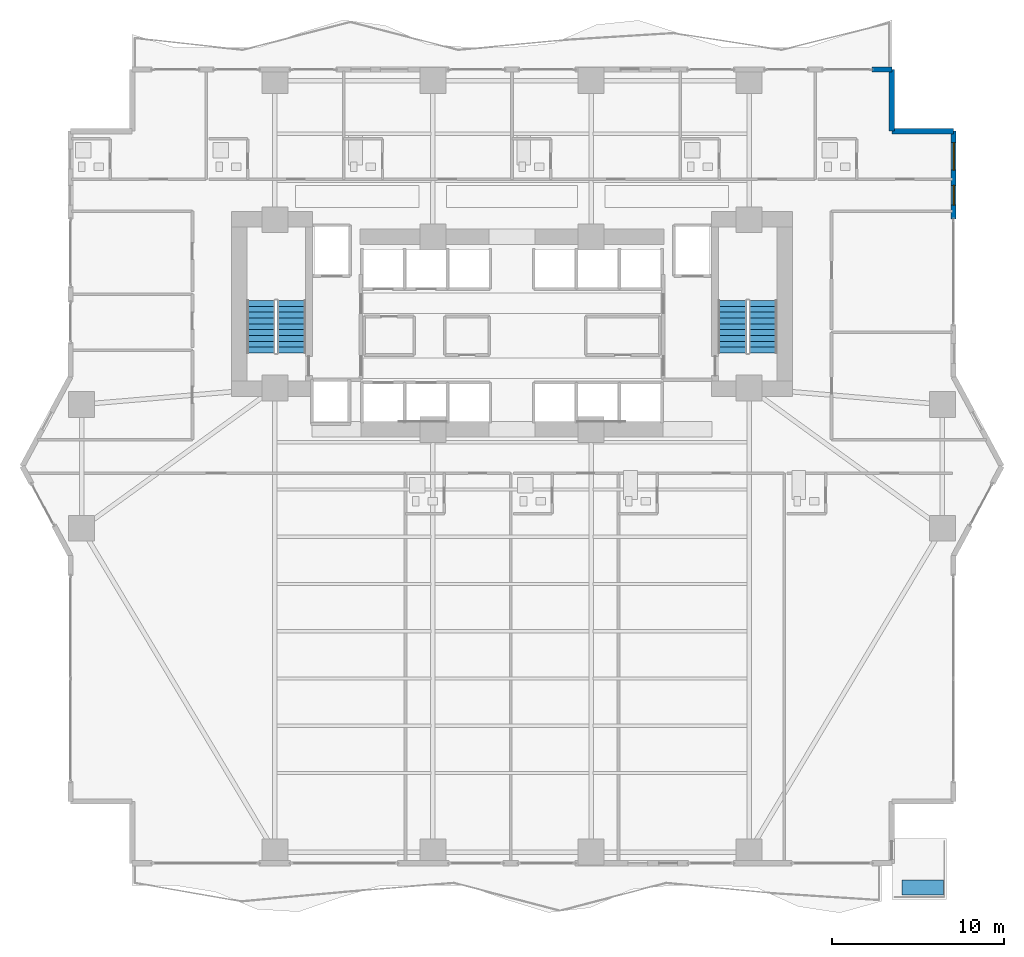
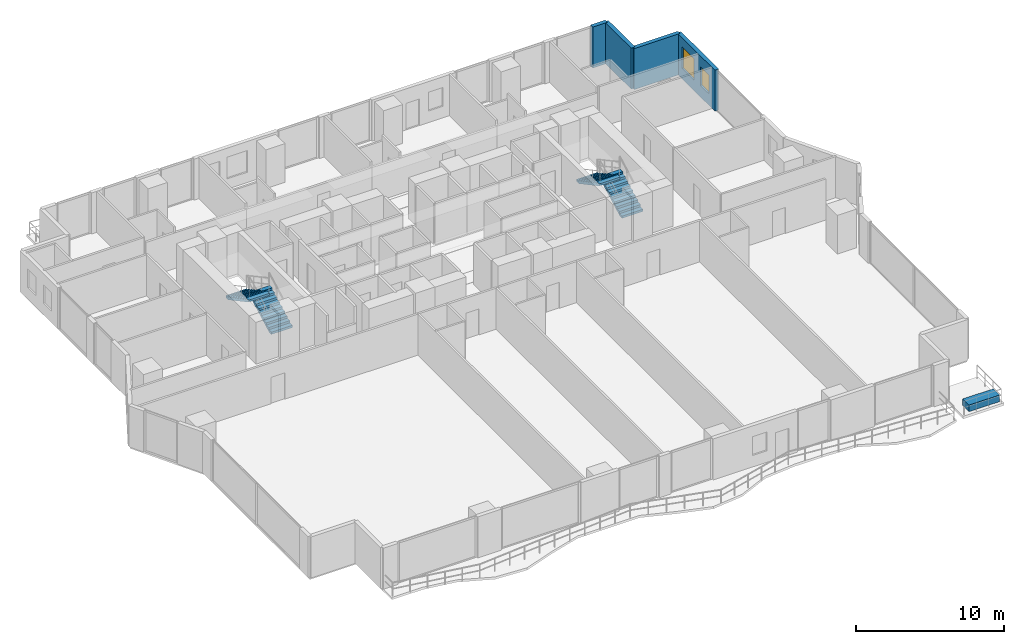
# One storey, part 23 of 30: 4 stair flights, 4 walls, 2 windows, 1 building element part, 2 openings, 2 elements without a shape of their own.
"""IFC4 building model written with IfcOpenShell, lengths in metres."""

from ifc_helpers import new_model, si_unit, direction, frame, frame_2d, origin, origin_2d, place, context, subcontext, project, spatial, polyline, rectangle, outline, extrude, material, layer, layer_set, type_object, element, fill, aggregate, save


model = new_model("IFC4")

# Units and contexts
model_context = context("Model", 3, precision=1e-05, world=origin(), true_north=direction((0.0, 1.0)))
body_context = subcontext(model_context, "Body", "Model", "MODEL_VIEW")
ifc_project = project(units=[si_unit("LENGTHUNIT", "METRE"), si_unit("AREAUNIT", "SQUARE_METRE"), si_unit("VOLUMEUNIT", "CUBIC_METRE"), si_unit("PLANEANGLEUNIT", "RADIAN"), si_unit("MASSUNIT", "GRAM", prefix="KILO")], contexts=[model_context])

# Site, building, storey
site_placement = place(None, origin())
site = spatial("IfcSite", under=ifc_project, at=site_placement, CompositionType="ELEMENT")
building_placement = place(site_placement, origin())
building = spatial("IfcBuilding", under=site, at=building_placement, Name="Zuhayl Quay Hotel", CompositionType="ELEMENT")
storey_placement = place(building_placement, frame((0.0, 0.0, 86.0)))
storey = spatial("IfcBuildingStorey", under=building, at=storey_placement, Name="L21", CompositionType="ELEMENT", Elevation=86.0)

# Walls
ifc_material_1 = material(Name="Precast concrete C45/55", Category="concrete")
ifc_layer_1 = layer(ifc_material_1, 0.300048828125, Name="Precast concrete C45/55", Category="concrete")
ifc_layer_set_1 = layer_set([ifc_layer_1], Name="Precast concrete C45/55")
wall_type = type_object("IfcWallType", Name="WL_EXT_300", PredefinedType="STANDARD", material=ifc_layer_set_1)
wall_1_placement = place(storey_placement, frame((20.949951171875, 23.10009765625, 0.0), z_axis=(0.0, 0.0, 1.0), x_axis=(1.0, 0.0, 0.0)))
element("IfcWall", 1, at=wall_1_placement, inside=storey, type_object=wall_type, Name="L21 Exterior Precast Wall ENV_L21_N_EW9", PredefinedType="STANDARD", context=body_context, shape_type="SweptSolid", body=[
    extrude(rectangle(XDim=1.150146484375, YDim=0.300048828125, at=frame_2d((0.5751953125, 0.0))), origin(), (0.0, 0.0, 1.0), 3.389892578125),
])
wall_2_placement = place(storey_placement, frame((22.10009765625, 23.10009765625, 0.0), z_axis=(0.0, 0.0, 1.0), x_axis=(0.0, -1.0, 0.0)))
element("IfcWall", 2, at=wall_2_placement, inside=storey, type_object=wall_type, Name="L21 Exterior Precast Wall ENV_L21_EW09", PredefinedType="STANDARD", context=body_context, shape_type="SweptSolid", body=[
    extrude(rectangle(XDim=3.60009765625, YDim=0.300048828125, at=frame_2d((1.800048828125, 0.0))), origin(), (0.0, 0.0, 1.0), 3.389892578125),
])
wall_3_placement = place(storey_placement, frame((22.10009765625, 19.5, 0.0), z_axis=(0.0, 0.0, 1.0), x_axis=(1.0, 0.0, 0.0)))
element("IfcWall", 3, at=wall_3_placement, inside=storey, type_object=wall_type, Name="L21 Exterior Precast Wall ENV_L21_EW10", PredefinedType="STANDARD", context=body_context, shape_type="SweptSolid", body=[
    extrude(rectangle(XDim=3.599853515625, YDim=0.300048828125, at=frame_2d((1.7998046875, 0.0))), origin(), (0.0, 0.0, 1.0), 3.389892578125),
])

# Wall, openings, windows
wall_4_placement = place(storey_placement, frame((25.699951171875, 19.5, 0.0), z_axis=(0.0, 0.0, 1.0), x_axis=(0.0, -1.0, 0.0)))
wall_4 = element("IfcWall", 4, at=wall_4_placement, inside=storey, type_object=wall_type, Name="L21 Exterior Precast Wall ENV_L21_E11_EW1", PredefinedType="STANDARD", context=body_context, shape_type="SweptSolid", body=[
    extrude(rectangle(XDim=5.10009765625, YDim=0.300048828125, at=frame_2d((2.550048828125, 0.0))), origin(), (0.0, 0.0, 1.0), 3.389892578125),
])
opening_1_placement = place(wall_4_placement, frame((0.659912109375, 0.0, 0.85009765625)))
opening_1 = element("IfcOpeningElement", 5, at=opening_1_placement, cuts=wall_4, Name="Opening W01", PredefinedType="OPENING", context=body_context, shape_type="SweptSolid", body=[
    extrude(rectangle(XDim=1.60009765625, YDim=1.800048828125, at=frame_2d((0.800048828125, 0.89990234375))), frame((0.0, 0.159912109375, 0.0), z_axis=(0.0, -1.0, 0.0), x_axis=(1.0, 0.0, 0.0)), (0.0, 0.0, 1.0), 0.320068359375),
])
opening_2_placement = place(wall_4_placement, frame((3.14990234375, 0.0, 0.949951171875)))
opening_2 = element("IfcOpeningElement", 6, at=opening_2_placement, cuts=wall_4, Name="Opening W01N", PredefinedType="OPENING", context=body_context, shape_type="SweptSolid", body=[
    extrude(rectangle(XDim=1.14990234375, YDim=1.550048828125, at=frame_2d((0.574951171875, 0.77490234375))), frame((0.0, 0.159912109375, 0.0), z_axis=(0.0, -1.0, 0.0), x_axis=(1.0, 0.0, 0.0)), (0.0, 0.0, 1.0), 0.320068359375),
])
ifc_material_2 = material(Name="Dark Ceramic-Fritted Solar Glass", Category="glass")
window_type_1 = type_object("IfcWindowType", Name="WN_NOTCH_1350", PartitioningType="SINGLE_PANEL", PredefinedType="WINDOW", material=ifc_material_2)
window_1_placement = place(opening_2_placement, origin())
window_1 = element("IfcWindow", 7, at=window_1_placement, inside=storey, type_object=window_type_1, Name="L21 Operable Facade Window 1-2", OverallHeight=1.550048828125, OverallWidth=1.14990234375, PartitioningType="SINGLE_PANEL", PredefinedType="WINDOW", context=body_context, shape_type="SweptSolid", body=[
    extrude(rectangle(XDim=1.14990234375, YDim=1.550048828125, at=frame_2d((0.574951171875, 0.77490234375))), frame((0.0, 0.030029296875, 0.0), z_axis=(0.0, -1.0, 0.0), x_axis=(1.0, 0.0, 0.0)), (0.0, 0.0, 1.0), 0.06005859375),
])
fill(opening_2, window_1)
window_type_2 = type_object("IfcWindowType", Name="WN_OPERABLE_1600", PartitioningType="DOUBLE_PANEL_VERTICAL", PredefinedType="WINDOW", material=ifc_material_2)
window_2_placement = place(opening_1_placement, origin())
window_2 = element("IfcWindow", 8, at=window_2_placement, inside=storey, type_object=window_type_2, Name="L21 Operable Facade Window 1-1", OverallHeight=1.800048828125, OverallWidth=1.60009765625, PartitioningType="SINGLE_PANEL", PredefinedType="WINDOW", context=body_context, shape_type="SweptSolid", body=[
    extrude(rectangle(XDim=1.60009765625, YDim=1.800048828125, at=frame_2d((0.800048828125, 0.89990234375))), frame((0.0, 0.030029296875, 0.0), z_axis=(0.0, -1.0, 0.0), x_axis=(1.0, 0.0, 0.0)), (0.0, 0.0, 1.0), 0.06005859375),
])
fill(opening_1, window_2)

# Stair, stair flights
ifc_material_3 = material(Name="Concrete C45/55", Category="concrete")
stair_type = type_object("IfcStairType", Name="ST_DOGLEG_TOWER", PredefinedType="HALF_TURN_STAIR", material=ifc_material_3)
stair_1_placement = place(storey_placement, origin())
stair_1 = element("IfcStair", 9, at=stair_1_placement, inside=storey, type_object=stair_type, Name="L21 Smokeproof Exit Stair ST1", PredefinedType="HALF_TURN_STAIR")
ifc_layer_2 = layer(ifc_material_3, 0.159912109375, Name="Concrete C45/55", Category="concrete")
ifc_layer_set_2 = layer_set([ifc_layer_2], Name="Concrete C45/55")
stair_flight_type = type_object("IfcStairFlightType", Name="SF_CONC_164", PredefinedType="STRAIGHT", material=ifc_layer_set_2)
stair_flight_1_placement = place(storey_placement, frame((-12.820068359375, 6.590087890625, 0.0), z_axis=(0.0, 0.0, 1.0), x_axis=(0.0, 1.0, 0.0)))
stair_flight_1 = element("IfcStairFlight", 10, at=stair_flight_1_placement, type_object=stair_flight_type, Name="ST1 flight 1", NumberOfRisers=10, NumberOfTreads=9, PredefinedType="STRAIGHT", RiserHeight=0.1825, TreadLength=0.34, context=body_context, shape_type="SweptSolid", body=[
    extrude(outline(polyline([(0.0, 0.0), (0.0, 0.1826171875), (0.340087890625, 0.1826171875), (0.340087890625, 0.364990234375), (0.679931640625, 0.364990234375), (0.679931640625, 0.547607421875), (1.02001953125, 0.547607421875), (1.02001953125, 0.72998046875), (1.360107421875, 0.72998046875), (1.360107421875, 0.91259765625), (1.699951171875, 0.91259765625), (1.699951171875, 1.094970703125), (2.0400390625, 1.094970703125), (2.0400390625, 1.277587890625), (2.3798828125, 1.277587890625), (2.3798828125, 1.4599609375), (2.719970703125, 1.4599609375), (2.719970703125, 1.642578125), (3.06005859375, 1.642578125), (3.06005859375, 1.824951171875), (3.06005859375, 1.472412109375), (0.31689453125, 0.0), (0.0, 0.0)])), frame((0.0, 0.81982421875, 0.0), z_axis=(0.0, -1.0, 0.0), x_axis=(1.0, 0.0, 0.0)), (0.0, 0.0, 1.0), 1.639892578125),
])
stair_flight_2_placement = place(storey_placement, frame((-14.610107421875, 9.64990234375, 1.824951171875), z_axis=(0.0, 0.0, 1.0), x_axis=(0.0, -1.0, 0.0)))
stair_flight_2 = element("IfcStairFlight", 11, at=stair_flight_2_placement, type_object=stair_flight_type, Name="ST1 flight 2", NumberOfRisers=10, NumberOfTreads=9, PredefinedType="STRAIGHT", RiserHeight=0.1825, TreadLength=0.34, context=body_context, shape_type="SweptSolid", body=[
    extrude(outline(polyline([(0.0, 0.0), (0.0, 0.1826171875), (0.340087890625, 0.1826171875), (0.340087890625, 0.364990234375), (0.679931640625, 0.364990234375), (0.679931640625, 0.547607421875), (1.02001953125, 0.547607421875), (1.02001953125, 0.72998046875), (1.360107421875, 0.72998046875), (1.360107421875, 0.91259765625), (1.699951171875, 0.91259765625), (1.699951171875, 1.094970703125), (2.0400390625, 1.094970703125), (2.0400390625, 1.277587890625), (2.3798828125, 1.277587890625), (2.3798828125, 1.4599609375), (2.719970703125, 1.4599609375), (2.719970703125, 1.642578125), (3.06005859375, 1.642578125), (3.06005859375, 1.824951171875), (3.06005859375, 1.472412109375), (0.31689453125, 0.0), (0.0, 0.0)])), frame((0.0, 0.81982421875, 0.0), z_axis=(0.0, -1.0, 0.0), x_axis=(1.0, 0.0, 0.0)), (0.0, 0.0, 1.0), 1.639892578125),
])
aggregate(stair_1, [stair_flight_1, stair_flight_2])

stair_2_placement = place(storey_placement, origin())
stair_2 = element("IfcStair", 12, at=stair_2_placement, inside=storey, type_object=stair_type, Name="L21 Smokeproof Exit Stair ST2", PredefinedType="HALF_TURN_STAIR")
stair_flight_3_placement = place(storey_placement, frame((14.610107421875, 6.590087890625, 0.0), z_axis=(0.0, 0.0, 1.0), x_axis=(0.0, 1.0, 0.0)))
stair_flight_3 = element("IfcStairFlight", 13, at=stair_flight_3_placement, type_object=stair_flight_type, Name="ST2 flight 1", NumberOfRisers=10, NumberOfTreads=9, PredefinedType="STRAIGHT", RiserHeight=0.1825, TreadLength=0.34, context=body_context, shape_type="SweptSolid", body=[
    extrude(outline(polyline([(0.0, 0.0), (0.0, 0.1826171875), (0.340087890625, 0.1826171875), (0.340087890625, 0.364990234375), (0.679931640625, 0.364990234375), (0.679931640625, 0.547607421875), (1.02001953125, 0.547607421875), (1.02001953125, 0.72998046875), (1.360107421875, 0.72998046875), (1.360107421875, 0.91259765625), (1.699951171875, 0.91259765625), (1.699951171875, 1.094970703125), (2.0400390625, 1.094970703125), (2.0400390625, 1.277587890625), (2.3798828125, 1.277587890625), (2.3798828125, 1.4599609375), (2.719970703125, 1.4599609375), (2.719970703125, 1.642578125), (3.06005859375, 1.642578125), (3.06005859375, 1.824951171875), (3.06005859375, 1.472412109375), (0.31689453125, 0.0), (0.0, 0.0)])), frame((0.0, 0.81982421875, 0.0), z_axis=(0.0, -1.0, 0.0), x_axis=(1.0, 0.0, 0.0)), (0.0, 0.0, 1.0), 1.639892578125),
])
stair_flight_4_placement = place(storey_placement, frame((12.820068359375, 9.64990234375, 1.824951171875), z_axis=(0.0, 0.0, 1.0), x_axis=(0.0, -1.0, 0.0)))
stair_flight_4 = element("IfcStairFlight", 14, at=stair_flight_4_placement, type_object=stair_flight_type, Name="ST2 flight 2", NumberOfRisers=10, NumberOfTreads=9, PredefinedType="STRAIGHT", RiserHeight=0.1825, TreadLength=0.34, context=body_context, shape_type="SweptSolid", body=[
    extrude(outline(polyline([(0.0, 0.0), (0.0, 0.1826171875), (0.340087890625, 0.1826171875), (0.340087890625, 0.364990234375), (0.679931640625, 0.364990234375), (0.679931640625, 0.547607421875), (1.02001953125, 0.547607421875), (1.02001953125, 0.72998046875), (1.360107421875, 0.72998046875), (1.360107421875, 0.91259765625), (1.699951171875, 0.91259765625), (1.699951171875, 1.094970703125), (2.0400390625, 1.094970703125), (2.0400390625, 1.277587890625), (2.3798828125, 1.277587890625), (2.3798828125, 1.4599609375), (2.719970703125, 1.4599609375), (2.719970703125, 1.642578125), (3.06005859375, 1.642578125), (3.06005859375, 1.824951171875), (3.06005859375, 1.472412109375), (0.31689453125, 0.0), (0.0, 0.0)])), frame((0.0, 0.81982421875, 0.0), z_axis=(0.0, -1.0, 0.0), x_axis=(1.0, 0.0, 0.0)), (0.0, 0.0, 1.0), 1.639892578125),
])
aggregate(stair_2, [stair_flight_3, stair_flight_4])

# Building element part
ifc_layer_3 = layer(ifc_material_1, 0.550048828125, Name="Precast concrete C45/55", Category="concrete")
ifc_layer_set_3 = layer_set([ifc_layer_3], Name="Precast concrete C45/55")
building_element_part_type = type_object("IfcBuildingElementPartType", Name="PT_PLANTER_KERB", PredefinedType="PRECASTPANEL", material=ifc_layer_set_3)
building_element_part_placement = place(storey_placement, frame((23.909912109375, -24.510009765625, 0.0), z_axis=(0.0, 0.0, 1.0), x_axis=(1.0, 0.0, 0.0)))
element("IfcBuildingElementPart", 15, at=building_element_part_placement, inside=storey, type_object=building_element_part_type, Name="L21 Spiral Sky-Terrace Planter Box SE", PredefinedType="PRECASTPANEL", context=body_context, shape_type="SweptSolid", body=[
    extrude(rectangle(XDim=2.39990234375, YDim=0.85009765625, at=origin_2d()), origin(), (0.0, 0.0, 1.0), 0.550048828125),
])

save(model, "model.ifc")
